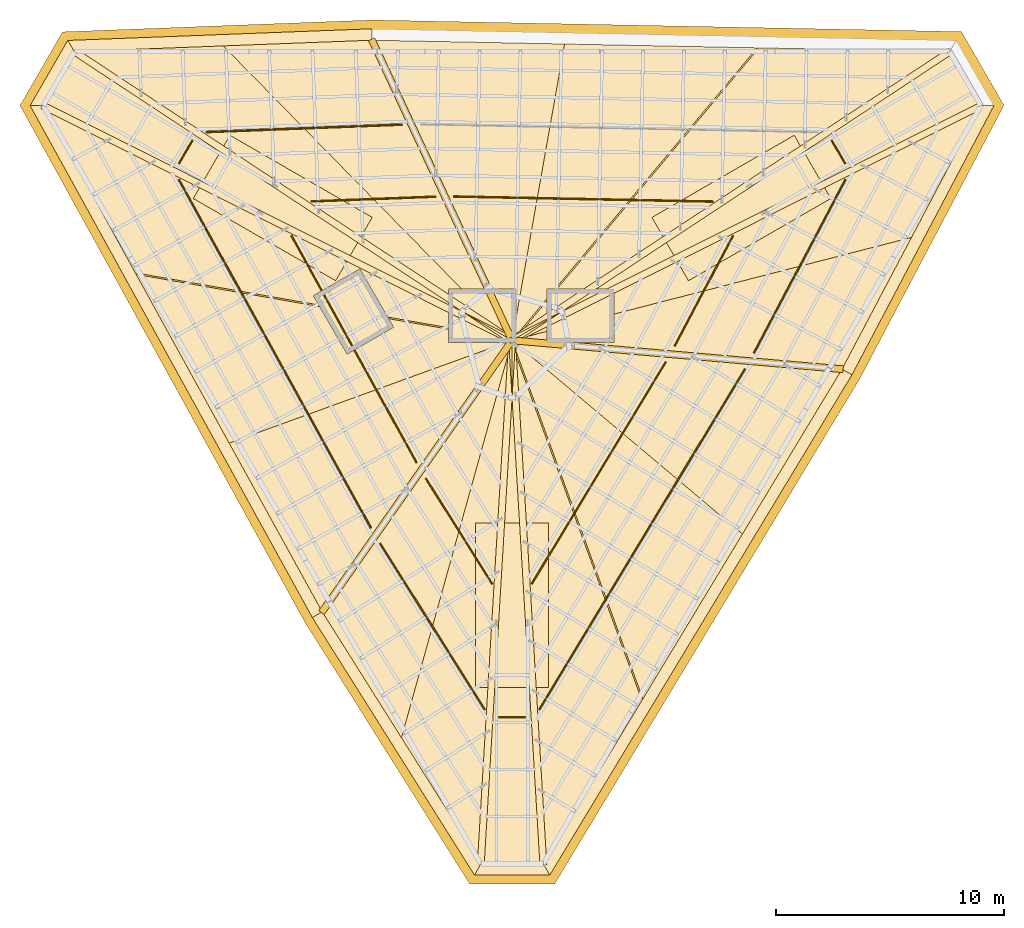
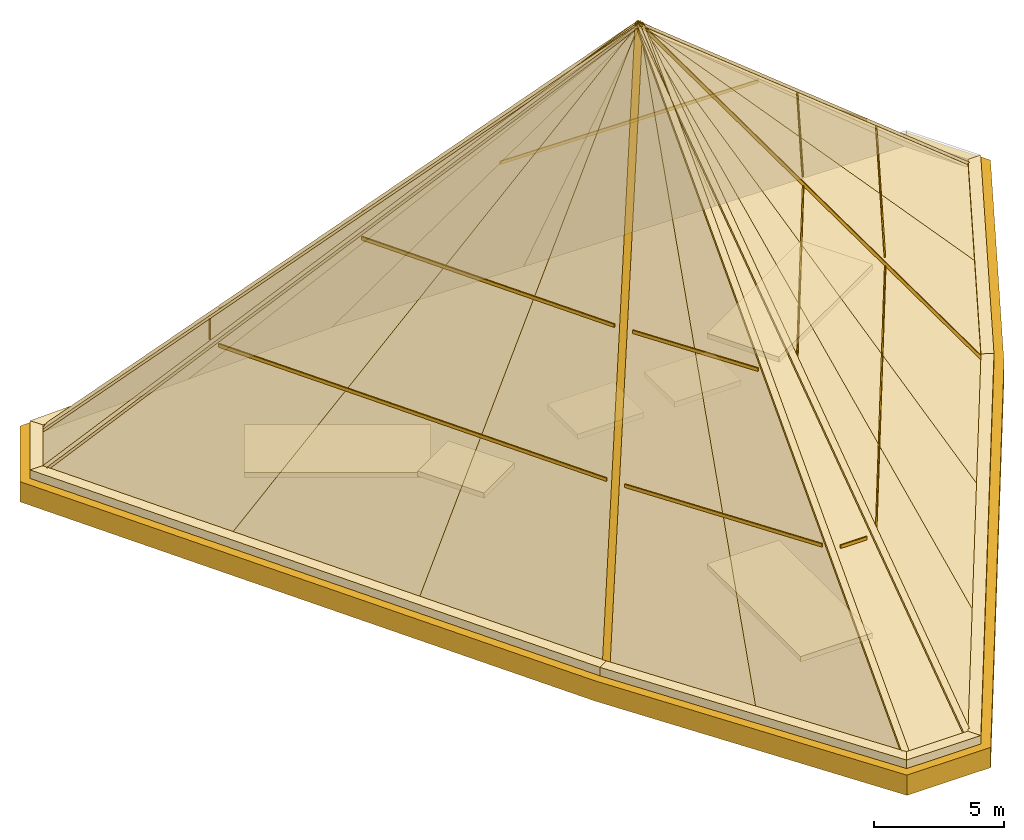
# One storey, part 5 of 6: 55 coverings.
"""IFC4 building model written with IfcOpenShell, lengths in metres."""

from ifc_helpers import new_model, si_unit, direction, frame, origin, origin_2d, place, context, subcontext, project, spatial, polyline, rectangle, outline, extrude, material, layer, layer_set, material_profile, profile_set, type_object, element, save


model = new_model("IFC4")

# Units and contexts
model_context = context("Model", 3, precision=1e-05, world=origin(), true_north=direction((0.0, 1.0)))
body_context = subcontext(model_context, "Body", "Model", "MODEL_VIEW")
ifc_project = project(units=[si_unit("LENGTHUNIT", "METRE"), si_unit("AREAUNIT", "SQUARE_METRE"), si_unit("VOLUMEUNIT", "CUBIC_METRE"), si_unit("PLANEANGLEUNIT", "RADIAN"), si_unit("MASSUNIT", "GRAM", prefix="KILO")], contexts=[model_context])

# Site, building, storey
site_placement = place(None, origin())
site = spatial("IfcSite", under=ifc_project, at=site_placement, CompositionType="ELEMENT")
building_placement = place(site_placement, origin())
building = spatial("IfcBuilding", under=site, at=building_placement, Name="Verrane Prism Tower", CompositionType="ELEMENT")
storey_placement = place(building_placement, frame((0.0, 0.0, 333.60009765625)))
storey = spatial("IfcBuildingStorey", under=building, at=storey_placement, Name="Roof", CompositionType="ELEMENT", Elevation=333.60009765625)

# Coverings
ifc_material_1 = material(Name="Zinc lined gutter", Category="metal")
covering_type_1 = type_object("IfcCoveringType", Name="Heated eaves gutter 400", PredefinedType="USERDEFINED", material=ifc_material_1)
covering_1_placement = place(storey_placement, origin())
element("IfcCovering", 1, at=covering_1_placement, inside=storey, type_object=covering_type_1, Name="Heated eaves gutter 3", ObjectType="EAVES GUTTER", PredefinedType="USERDEFINED", context=body_context, shape_type="SweptSolid", body=[
    extrude(outline(polyline([(-6.139892578125, 13.650146484375), (-19.46728515625, 13.13916015625), (-19.17236328125, 12.64990234375), (-6.13525390625, 13.14990234375), (-6.139892578125, 13.650146484375)])), origin(), (0.0, 0.0, 1.0), 0.39990234375),
])
covering_2_placement = place(storey_placement, origin())
element("IfcCovering", 2, at=covering_2_placement, inside=storey, type_object=covering_type_1, Name="Heated eaves gutter 4", ObjectType="EAVES GUTTER", PredefinedType="USERDEFINED", context=body_context, shape_type="SweptSolid", body=[
    extrude(outline(polyline([(-19.46728515625, 13.13916015625), (-21.115478515625, 10.284423828125), (-20.54150390625, 10.27880859375), (-19.17236328125, 12.64990234375), (-19.46728515625, 13.13916015625)])), origin(), (0.0, 0.0, 1.0), 0.39990234375),
])
covering_3_placement = place(storey_placement, origin())
element("IfcCovering", 3, at=covering_3_placement, inside=storey, type_object=covering_type_1, Name="Heated eaves gutter 5", ObjectType="EAVES GUTTER", PredefinedType="USERDEFINED", context=body_context, shape_type="SweptSolid", body=[
    extrude(outline(polyline([(-21.115478515625, 10.284423828125), (-8.75146484375, -12.142333984375), (-8.320556640625, -11.88818359375), (-20.54150390625, 10.27880859375), (-21.115478515625, 10.284423828125)])), origin(), (0.0, 0.0, 1.0), 0.39990234375),
])
covering_4_placement = place(storey_placement, origin())
element("IfcCovering", 4, at=covering_4_placement, inside=storey, type_object=covering_type_1, Name="Heated eaves gutter 6", ObjectType="EAVES GUTTER", PredefinedType="USERDEFINED", context=body_context, shape_type="SweptSolid", body=[
    extrude(outline(polyline([(-8.75146484375, -12.142333984375), (-1.64501953125, -23.4287109375), (-1.368896484375, -22.9287109375), (-8.320556640625, -11.88818359375), (-8.75146484375, -12.142333984375)])), origin(), (0.0, 0.0, 1.0), 0.39990234375),
])
covering_5_placement = place(storey_placement, origin())
element("IfcCovering", 5, at=covering_5_placement, inside=storey, type_object=covering_type_1, Name="Heated eaves gutter 7", ObjectType="EAVES GUTTER", PredefinedType="USERDEFINED", context=body_context, shape_type="SweptSolid", body=[
    extrude(outline(polyline([(-1.64501953125, -23.4287109375), (1.651123046875, -23.4287109375), (1.368896484375, -22.9287109375), (-1.368896484375, -22.9287109375), (-1.64501953125, -23.4287109375)])), origin(), (0.0, 0.0, 1.0), 0.39990234375),
])
covering_6_placement = place(storey_placement, origin())
element("IfcCovering", 6, at=covering_6_placement, inside=storey, type_object=covering_type_1, Name="Heated eaves gutter 8", ObjectType="EAVES GUTTER", PredefinedType="USERDEFINED", context=body_context, shape_type="SweptSolid", body=[
    extrude(outline(polyline([(1.651123046875, -23.4287109375), (14.891357421875, -1.5078125), (14.455810546875, -1.26171875), (1.368896484375, -22.9287109375), (1.651123046875, -23.4287109375)])), origin(), (0.0, 0.0, 1.0), 0.39990234375),
])
covering_7_placement = place(storey_placement, origin())
element("IfcCovering", 7, at=covering_7_placement, inside=storey, type_object=covering_type_1, Name="Heated eaves gutter 9", ObjectType="EAVES GUTTER", PredefinedType="USERDEFINED", context=body_context, shape_type="SweptSolid", body=[
    extrude(outline(polyline([(14.891357421875, -1.5078125), (21.1123046875, 10.289794921875), (20.54150390625, 10.27880859375), (14.455810546875, -1.26171875), (14.891357421875, -1.5078125)])), origin(), (0.0, 0.0, 1.0), 0.39990234375),
])
ifc_material_2 = material(Name="Zinc standing seam roofing", Category="metal")
ifc_material_profile = material_profile(ifc_material_2, rectangle(XDim=0.300048828125, YDim=0.1201171875, at=origin_2d()), Name="Hip cap 300x120")
ifc_profile_set = profile_set([ifc_material_profile], Name="Zinc standing seam roofing")
covering_type_2 = type_object("IfcCoveringType", Name="Hip cap 300x120", PredefinedType="USERDEFINED", material=ifc_profile_set)
for number, where, z_axis, x_axis, name in (
    (8, (20.54150390625, 10.27880859375, 0.216552734375), (-0.674450623029, -0.337489839677, 0.656671124088), (0.447494174086, -0.894286846688, 0.0), "Hip cap NE.a"),
    (9, (19.17236328125, 12.64990234375, 0.216552734375), (-0.629499495607, -0.415343013694, 0.656673865786), (0.550725222956, -0.83468660514, 0.0), "Hip cap NE.b"),
):
    element("IfcCovering", number, at=place(storey_placement, frame(where, z_axis=z_axis, x_axis=x_axis)), inside=storey, type_object=covering_type_2, Name=name, ObjectType="HIP CAP", PredefinedType="USERDEFINED", context=body_context, shape_type="SweptSolid", body=[
        extrude(rectangle(XDim=0.300048828125, YDim=0.1201171875, at=origin_2d()), origin(), (0.0, 0.0, 1.0), 30.45654296875),
    ])
covering_8_placement = place(storey_placement, frame((-6.13525390625, 13.14990234375, 0.216552734375), z_axis=(0.248294965543, -0.532179205495, 0.809404042073), x_axis=(0.906219242542, 0.422808094112, 0.0)))
element("IfcCovering", 10, at=covering_8_placement, inside=storey, type_object=covering_type_2, Name="Hip cap N.crease", ObjectType="HIP CAP", PredefinedType="USERDEFINED", context=body_context, shape_type="SweptSolid", body=[
    extrude(rectangle(XDim=0.300048828125, YDim=0.1201171875, at=origin_2d()), origin(), (0.0, 0.0, 1.0), 24.70947265625),
])
for number, where, z_axis, x_axis, name in (
    (11, (-19.17236328125, 12.64990234375, 0.216552734375), (0.629499495607, -0.415343013694, 0.656673865786), (0.550725222956, 0.83468660514, 0.0), "Hip cap NW.a"),
    (12, (-20.54150390625, 10.27880859375, 0.216552734375), (0.674450623029, -0.337489839677, 0.656671124088), (0.447494174086, 0.894286846688, 0.0), "Hip cap NW.b"),
):
    element("IfcCovering", number, at=place(storey_placement, frame(where, z_axis=z_axis, x_axis=x_axis)), inside=storey, type_object=covering_type_2, Name=name, ObjectType="HIP CAP", PredefinedType="USERDEFINED", context=body_context, shape_type="SweptSolid", body=[
        extrude(rectangle(XDim=0.300048828125, YDim=0.1201171875, at=origin_2d()), origin(), (0.0, 0.0, 1.0), 30.45654296875),
    ])
covering_9_placement = place(storey_placement, frame((-8.320556640625, -11.88818359375, 0.216552734375), z_axis=(0.33673480194, 0.481117468551, 0.809404506175), x_axis=(-0.819269859356, 0.573408142209, 0.0)))
element("IfcCovering", 13, at=covering_9_placement, inside=storey, type_object=covering_type_2, Name="Hip cap SW.crease", ObjectType="HIP CAP", PredefinedType="USERDEFINED", context=body_context, shape_type="SweptSolid", body=[
    extrude(rectangle(XDim=0.300048828125, YDim=0.1201171875, at=origin_2d()), origin(), (0.0, 0.0, 1.0), 24.70947265625),
])
for number, where, z_axis, x_axis, name in (
    (14, (-1.368896484375, -22.9287109375, 0.216552734375), (0.044945924412, 0.752834213848, 0.6566738234), (-0.998222568604, 0.059596170431, 0.0), "Hip cap S.a"),
    (15, (1.368896484375, -22.9287109375, 0.216552734375), (-0.044945924412, 0.752834213848, 0.6566738234), (-0.998222568604, -0.059596170431, 0.0), "Hip cap S.b"),
):
    element("IfcCovering", number, at=place(storey_placement, frame(where, z_axis=z_axis, x_axis=x_axis)), inside=storey, type_object=covering_type_2, Name=name, ObjectType="HIP CAP", PredefinedType="USERDEFINED", context=body_context, shape_type="SweptSolid", body=[
        extrude(rectangle(XDim=0.300048828125, YDim=0.1201171875, at=origin_2d()), origin(), (0.0, 0.0, 1.0), 30.45654296875),
    ])
covering_10_placement = place(storey_placement, frame((14.455810546875, -1.26171875, 0.216552734375), z_axis=(-0.585029037522, 0.051061965951, 0.809403299282), x_axis=(-0.08695051396, -0.996212631983, 0.0)))
element("IfcCovering", 16, at=covering_10_placement, inside=storey, type_object=covering_type_2, Name="Hip cap SE.crease", ObjectType="HIP CAP", PredefinedType="USERDEFINED", context=body_context, shape_type="SweptSolid", body=[
    extrude(rectangle(XDim=0.300048828125, YDim=0.1201171875, at=origin_2d()), origin(), (0.0, 0.0, 1.0), 24.70947265625),
])
ifc_material_3 = material(Name="Concrete C40/50", Category="concrete")
ifc_layer_1 = layer(ifc_material_3, 0.25)
ifc_layer_set_1 = layer_set([ifc_layer_1], Name="Shaft and stair head roof 250 concrete C40/50")
covering_type_3 = type_object("IfcCoveringType", Name="Shaft and stair head roof 250 concrete C40/50", PredefinedType="ROOFING", material=ifc_layer_set_1)
covering_11_placement = place(storey_placement, origin())
element("IfcCovering", 17, at=covering_11_placement, inside=storey, type_object=covering_type_3, Name="Stair 1 head-house roof", PredefinedType="ROOFING", context=body_context, shape_type="SweptSolid", body=[
    extrude(outline(polyline([(7.728271484375, 2.614501953125), (7.628173828125, 2.78759765625), (6.228271484375, 5.21240234375), (6.128173828125, 5.385498046875), (12.363525390625, 8.985595703125), (12.463623046875, 8.8125), (13.863525390625, 6.3876953125), (13.963623046875, 6.21435546875), (7.728271484375, 2.614501953125)])), origin(), (0.0, 0.0, 1.0), 0.25),
])
covering_12_placement = place(storey_placement, origin())
element("IfcCovering", 18, at=covering_12_placement, inside=storey, type_object=covering_type_3, Name="Stair 2 head-house roof", PredefinedType="ROOFING", context=body_context, shape_type="SweptSolid", body=[
    extrude(outline(polyline([(-7.728271484375, 2.614501953125), (-13.963623046875, 6.21435546875), (-13.863525390625, 6.3876953125), (-12.463623046875, 8.8125), (-12.363525390625, 8.985595703125), (-6.128173828125, 5.385498046875), (-6.228271484375, 5.21240234375), (-7.628173828125, 2.78759765625), (-7.728271484375, 2.614501953125)])), origin(), (0.0, 0.0, 1.0), 0.25),
])
covering_13_placement = place(storey_placement, origin())
element("IfcCovering", 19, at=covering_13_placement, inside=storey, type_object=covering_type_3, Name="Stair 3 head-house roof", PredefinedType="ROOFING", context=body_context, shape_type="SweptSolid", body=[
    extrude(outline(polyline([(-1.60009765625, -15.199951171875), (-1.60009765625, -8.0), (1.60009765625, -8.0), (1.60009765625, -15.199951171875), (-1.60009765625, -15.199951171875)])), origin(), (0.0, 0.0, 1.0), 0.25),
])
covering_14_placement = place(storey_placement, frame((0.0, 0.0, 1.699951171875)))
element("IfcCovering", 20, at=covering_14_placement, inside=storey, type_object=covering_type_3, Name="Fire service lift 1 shaft roof", PredefinedType="ROOFING", context=body_context, shape_type="SweptSolid", body=[
    extrude(outline(polyline([(0.1650390625, 2.25), (0.1650390625, -0.10009765625), (-2.784912109375, -0.10009765625), (-2.784912109375, 2.25), (0.1650390625, 2.25)])), origin(), (0.0, 0.0, 1.0), 0.25),
])
covering_15_placement = place(storey_placement, frame((0.0, 0.0, 1.699951171875)))
element("IfcCovering", 21, at=covering_15_placement, inside=storey, type_object=covering_type_3, Name="Fire service lift 2 shaft roof", PredefinedType="ROOFING", context=body_context, shape_type="SweptSolid", body=[
    extrude(outline(polyline([(4.47509765625, 2.25), (4.47509765625, -0.10009765625), (1.52490234375, -0.10009765625), (1.52490234375, 2.25), (4.47509765625, 2.25)])), origin(), (0.0, 0.0, 1.0), 0.25),
])
covering_16_placement = place(storey_placement, frame((0.0, 0.0, 0.7998046875)))
element("IfcCovering", 22, at=covering_16_placement, inside=storey, type_object=covering_type_3, Name="Service lift 1 shaft roof", PredefinedType="ROOFING", context=body_context, shape_type="SweptSolid", body=[
    extrude(outline(polyline([(-5.193359375, 0.575439453125), (-7.228515625, -0.599609375), (-8.70361328125, 1.955078125), (-6.66845703125, 3.130126953125), (-5.193359375, 0.575439453125)])), origin(), (0.0, 0.0, 1.0), 0.25),
])
ifc_material_4 = material(Name="Stainless steel bar", Category="steel")
ifc_layer_2 = layer(ifc_material_4, 0.050048828125)
ifc_layer_set_2 = layer_set([ifc_layer_2], Name="Snow guard bar 150")
covering_type_4 = type_object("IfcCoveringType", Name="Snow guard bar 150", PredefinedType="USERDEFINED", material=ifc_layer_set_2)
covering_17_placement = place(storey_placement, frame((14.297119140625, 8.25439453125, 5.781005859375), z_axis=(0.0, 0.0, 1.0), x_axis=(-0.499996976998, 0.866027149108, 0.0)))
element("IfcCovering", 23, at=covering_17_placement, inside=storey, type_object=covering_type_4, Name="Snow guard bar plane 1 row 1", ObjectType="SNOW GUARD", PredefinedType="USERDEFINED", context=body_context, shape_type="SweptSolid", body=[
    extrude(rectangle(XDim=1.17138671875, YDim=0.050048828125, at=origin_2d()), origin(), (0.0, 0.0, 1.0), 0.14990234375),
])
covering_18_placement = place(storey_placement, frame((3.12890625, 6.19189453125, 10.658203125), z_axis=(0.0, 0.0, 1.0), x_axis=(-0.999804903267, 0.019752351834, 0.0)))
element("IfcCovering", 24, at=covering_18_placement, inside=storey, type_object=covering_type_4, Name="Snow guard bar plane 2 row 2", ObjectType="SNOW GUARD", PredefinedType="USERDEFINED", context=body_context, shape_type="SweptSolid", body=[
    extrude(rectangle(XDim=11.35009765625, YDim=0.050048828125, at=origin_2d()), origin(), (0.0, 0.0, 1.0), 0.14990234375),
])
covering_19_placement = place(storey_placement, frame((-9.110595703125, 9.2880859375, 5.853271484375), z_axis=(0.0, 0.0, 1.0), x_axis=(-0.999265393304, -0.038323279424, 0.0)))
element("IfcCovering", 25, at=covering_19_placement, inside=storey, type_object=covering_type_4, Name="Snow guard bar plane 3 row 1", ObjectType="SNOW GUARD", PredefinedType="USERDEFINED", context=body_context, shape_type="SweptSolid", body=[
    extrude(rectangle(XDim=8.59375, YDim=0.050048828125, at=origin_2d()), origin(), (0.0, 0.0, 1.0), 0.14990234375),
])
covering_20_placement = place(storey_placement, frame((-6.07373046875, 6.19189453125, 10.6533203125), z_axis=(0.0, 0.0, 1.0), x_axis=(-0.999265393304, -0.038323279424, 0.0)))
element("IfcCovering", 26, at=covering_20_placement, inside=storey, type_object=covering_type_4, Name="Snow guard bar plane 3 row 2", ObjectType="SNOW GUARD", PredefinedType="USERDEFINED", context=body_context, shape_type="SweptSolid", body=[
    extrude(rectangle(XDim=5.46240234375, YDim=0.050048828125, at=origin_2d()), origin(), (0.0, 0.0, 1.0), 0.14990234375),
])
covering_21_placement = place(storey_placement, frame((-14.297119140625, 8.25439453125, 5.781005859375), z_axis=(0.0, 0.0, 1.0), x_axis=(-0.499996976998, -0.866027149108, 0.0)))
element("IfcCovering", 27, at=covering_21_placement, inside=storey, type_object=covering_type_4, Name="Snow guard bar plane 4 row 1", ObjectType="SNOW GUARD", PredefinedType="USERDEFINED", context=body_context, shape_type="SweptSolid", body=[
    extrude(rectangle(XDim=1.17138671875, YDim=0.050048828125, at=origin_2d()), origin(), (0.0, 0.0, 1.0), 0.14990234375),
])
covering_22_placement = place(storey_placement, frame((-10.390380859375, -0.579345703125, 5.858154296875), z_axis=(0.0, 0.0, 1.0), x_axis=(0.482796413161, -0.875732620975, 0.0)))
element("IfcCovering", 28, at=covering_22_placement, inside=storey, type_object=covering_type_4, Name="Snow guard bar plane 5 row 1", ObjectType="SNOW GUARD", PredefinedType="USERDEFINED", context=body_context, shape_type="SweptSolid", body=[
    extrude(rectangle(XDim=17.425048828125, YDim=0.050048828125, at=origin_2d()), origin(), (0.0, 0.0, 1.0), 0.14990234375),
])
covering_23_placement = place(storey_placement, frame((-6.927001953125, -0.38623046875, 10.658203125), z_axis=(0.0, 0.0, 1.0), x_axis=(0.482796413161, -0.875732620975, 0.0)))
element("IfcCovering", 29, at=covering_23_placement, inside=storey, type_object=covering_type_4, Name="Snow guard bar plane 5 row 2", ObjectType="SNOW GUARD", PredefinedType="USERDEFINED", context=body_context, shape_type="SweptSolid", body=[
    extrude(rectangle(XDim=11.35009765625, YDim=0.050048828125, at=origin_2d()), origin(), (0.0, 0.0, 1.0), 0.14990234375),
])
covering_24_placement = place(storey_placement, frame((-3.48828125, -12.5341796875, 5.853271484375), z_axis=(0.0, 0.0, 1.0), x_axis=(0.532818676295, -0.846229435905, 0.0)))
element("IfcCovering", 30, at=covering_24_placement, inside=storey, type_object=covering_type_4, Name="Snow guard bar plane 6 row 1", ObjectType="SNOW GUARD", PredefinedType="USERDEFINED", context=body_context, shape_type="SweptSolid", body=[
    extrude(rectangle(XDim=8.59375, YDim=0.050048828125, at=origin_2d()), origin(), (0.0, 0.0, 1.0), 0.14990234375),
])
covering_25_placement = place(storey_placement, frame((-2.325439453125, -8.356201171875, 10.653076171875), z_axis=(0.0, 0.0, 1.0), x_axis=(0.532818676295, -0.846229435905, 0.0)))
element("IfcCovering", 31, at=covering_25_placement, inside=storey, type_object=covering_type_4, Name="Snow guard bar plane 6 row 2", ObjectType="SNOW GUARD", PredefinedType="USERDEFINED", context=body_context, shape_type="SweptSolid", body=[
    extrude(rectangle(XDim=5.46240234375, YDim=0.050048828125, at=origin_2d()), origin(), (0.0, 0.0, 1.0), 0.14990234375),
])
covering_26_placement = place(storey_placement, frame((0.0, -16.5087890625, 5.781005859375), z_axis=(0.0, 0.0, 1.0), x_axis=(1.0, 0.0, 0.0)))
element("IfcCovering", 32, at=covering_26_placement, inside=storey, type_object=covering_type_4, Name="Snow guard bar plane 7 row 1", ObjectType="SNOW GUARD", PredefinedType="USERDEFINED", context=body_context, shape_type="SweptSolid", body=[
    extrude(rectangle(XDim=1.17138671875, YDim=0.050048828125, at=origin_2d()), origin(), (0.0, 0.0, 1.0), 0.14990234375),
])
covering_27_placement = place(storey_placement, frame((5.697021484375, -8.70849609375, 5.858154296875), z_axis=(0.0, 0.0, 1.0), x_axis=(0.517008490106, 0.855980269141, 0.0)))
element("IfcCovering", 33, at=covering_27_placement, inside=storey, type_object=covering_type_4, Name="Snow guard bar plane 8 row 1", ObjectType="SNOW GUARD", PredefinedType="USERDEFINED", context=body_context, shape_type="SweptSolid", body=[
    extrude(rectangle(XDim=17.425048828125, YDim=0.050048828125, at=origin_2d()), origin(), (0.0, 0.0, 1.0), 0.14990234375),
])
covering_28_placement = place(storey_placement, frame((3.798095703125, -5.8056640625, 10.658203125), z_axis=(0.0, 0.0, 1.0), x_axis=(0.517008490106, 0.855980269141, 0.0)))
element("IfcCovering", 34, at=covering_28_placement, inside=storey, type_object=covering_type_4, Name="Snow guard bar plane 8 row 2", ObjectType="SNOW GUARD", PredefinedType="USERDEFINED", context=body_context, shape_type="SweptSolid", body=[
    extrude(rectangle(XDim=11.35009765625, YDim=0.050048828125, at=origin_2d()), origin(), (0.0, 0.0, 1.0), 0.14990234375),
])
covering_29_placement = place(storey_placement, frame((12.59912109375, 3.24609375, 5.853271484375), z_axis=(0.0, 0.0, 1.0), x_axis=(0.466442219281, 0.884551669532, 0.0)))
element("IfcCovering", 35, at=covering_29_placement, inside=storey, type_object=covering_type_4, Name="Snow guard bar plane 9 row 1", ObjectType="SNOW GUARD", PredefinedType="USERDEFINED", context=body_context, shape_type="SweptSolid", body=[
    extrude(rectangle(XDim=8.59375, YDim=0.050048828125, at=origin_2d()), origin(), (0.0, 0.0, 1.0), 0.14990234375),
])
covering_30_placement = place(storey_placement, frame((8.3994140625, 2.1640625, 10.6533203125), z_axis=(0.0, 0.0, 1.0), x_axis=(0.466442219281, 0.884551669532, 0.0)))
element("IfcCovering", 36, at=covering_30_placement, inside=storey, type_object=covering_type_4, Name="Snow guard bar plane 9 row 2", ObjectType="SNOW GUARD", PredefinedType="USERDEFINED", context=body_context, shape_type="SweptSolid", body=[
    extrude(rectangle(XDim=5.46240234375, YDim=0.050048828125, at=origin_2d()), origin(), (0.0, 0.0, 1.0), 0.14990234375),
])
ifc_material_5 = material(Name="Zinc standing seam roofing", Category="metal")
ifc_layer_3 = layer(ifc_material_5, 0.1201171875)
ifc_layer_set_3 = layer_set([ifc_layer_3], Name="Standing seam metal roofing 120")
covering_type_5 = type_object("IfcCoveringType", Name="Standing seam metal roofing 120", PredefinedType="ROOFING", material=ifc_layer_set_3)
covering_31_placement = place(storey_placement, frame((20.54150390625, 10.27880859375, 0.1591796875), z_axis=(0.569250789516, 0.328702474012, 0.753596856557), x_axis=(-0.500051773299, 0.865995510393, 0.0)))
element("IfcCovering", 37, at=covering_31_placement, inside=storey, type_object=covering_type_5, Name="Roof covering plane 1 panel 1", PredefinedType="ROOFING", context=body_context, shape_type="SweptSolid", body=[
    extrude(outline(polyline([(0.0, 0.0), (2.737997739647433, 0.0), (1.370413360180244, 30.42579918522556), (0.0, 0.0)])), origin(), (0.0, 0.0, -1.0), 0.1201171875),
])
covering_32_placement = place(storey_placement, frame((19.17236328125, 12.64990234375, 0.2197265625), z_axis=(0.016560085977, 0.837775476976, 0.545763697703), x_axis=(-0.999804695321, 0.019762874625, 0.0)))
element("IfcCovering", 38, at=covering_32_placement, inside=storey, type_object=covering_type_5, Name="Roof covering plane 2 panel 1", PredefinedType="ROOFING", context=body_context, shape_type="SweptSolid", body=[
    extrude(outline(polyline([(0.0, 0.0), (8.437438886915633, 0.0), (18.918620394966748, 23.86808214846311), (0.0, 0.0)])), origin(), (0.0, 0.0, -1.0), 0.1201171875),
])
covering_33_placement = place(storey_placement, frame((10.736572265625, 12.816650390625, 0.2197265625), z_axis=(0.016560085977, 0.837775476976, 0.545763697703), x_axis=(-0.999804695321, 0.019762874625, 0.0)))
element("IfcCovering", 39, at=covering_33_placement, inside=storey, type_object=covering_type_5, Name="Roof covering plane 2 panel 2", PredefinedType="ROOFING", context=body_context, shape_type="SweptSolid", body=[
    extrude(outline(polyline([(0.0, 0.0), (8.437438886915633, 0.0), (10.481181508051115, 23.86808214846311), (0.0, 0.0)])), origin(), (0.0, 0.0, -1.0), 0.1201171875),
])
covering_34_placement = place(storey_placement, frame((2.30078125, 12.9833984375, 0.2197265625), z_axis=(0.01653539376, 0.837777120234, 0.545761923887), x_axis=(-0.999805277906, 0.019733379624, 0.0)))
element("IfcCovering", 40, at=covering_34_placement, inside=storey, type_object=covering_type_5, Name="Roof covering plane 2 panel 3", PredefinedType="ROOFING", context=body_context, shape_type="SweptSolid", body=[
    extrude(outline(polyline([(0.0, 0.0), (8.437678158609895, 1.3877787807814457e-17), (2.044126906878666, 23.868049240266867), (0.0, 0.0)])), origin(), (0.0, 0.0, -1.0), 0.1201171875),
])
covering_35_placement = place(storey_placement, frame((-6.13525390625, 13.14990234375, 0.2158203125), z_axis=(-0.03185646406, 0.830632412496, 0.555909130172), x_axis=(-0.999265370065, -0.038323885354, 0.0)))
element("IfcCovering", 41, at=covering_35_placement, inside=storey, type_object=covering_type_5, Name="Roof covering plane 3 panel 1", PredefinedType="ROOFING", context=body_context, shape_type="SweptSolid", body=[
    extrude(outline(polyline([(0.0, 0.0), (6.523346933432885, 2.7755575615628914e-17), (-5.626791415236748, 24.060351005622), (0.0, 0.0)])), origin(), (0.0, 0.0, -1.0), 0.1201171875),
])
covering_36_placement = place(storey_placement, frame((-12.65380859375, 12.89990234375, 0.2158203125), z_axis=(-0.03185646406, 0.830632412496, 0.555909130172), x_axis=(-0.999265370065, -0.038323885354, 0.0)))
element("IfcCovering", 42, at=covering_36_placement, inside=storey, type_object=covering_type_5, Name="Roof covering plane 3 panel 2", PredefinedType="ROOFING", context=body_context, shape_type="SweptSolid", body=[
    extrude(outline(polyline([(0.0, 0.0), (6.523346933432885, 2.7755575615628914e-17), (-12.150138348669634, 24.060351005622), (0.0, 0.0)])), origin(), (0.0, 0.0, -1.0), 0.1201171875),
])
covering_37_placement = place(storey_placement, frame((-19.17236328125, 12.64990234375, 0.1591796875), z_axis=(-0.569250789516, 0.328702474012, 0.753596856557), x_axis=(-0.500051773299, -0.865995510393, 0.0)))
element("IfcCovering", 43, at=covering_37_placement, inside=storey, type_object=covering_type_5, Name="Roof covering plane 4 panel 1", PredefinedType="ROOFING", context=body_context, shape_type="SweptSolid", body=[
    extrude(outline(polyline([(0.0, 0.0), (2.737997739647433, 0.0), (1.3675843794671874, 30.42579918522556), (0.0, 0.0)])), origin(), (0.0, 0.0, -1.0), 0.1201171875),
])
covering_38_placement = place(storey_placement, frame((-20.54150390625, 10.27880859375, 0.2197265625), z_axis=(-0.733809679931, -0.404571231433, 0.545752207816), x_axis=(0.482812657449, -0.875723665209, 0.0)))
element("IfcCovering", 44, at=covering_38_placement, inside=storey, type_object=covering_type_5, Name="Roof covering plane 5 panel 1", PredefinedType="ROOFING", context=body_context, shape_type="SweptSolid", body=[
    extrude(outline(polyline([(0.0, 0.0), (8.437497248472543, -2.220446049250313e-16), (18.91909402466936, 23.86786898998637), (0.0, 0.0)])), origin(), (0.0, 0.0, -1.0), 0.1201171875),
])
covering_39_placement = place(storey_placement, frame((-16.4677734375, 2.889892578125, 0.2197265625), z_axis=(-0.733818669388, -0.404538574597, 0.54576432837), x_axis=(0.482778233196, -0.875742643447, 0.0)))
element("IfcCovering", 45, at=covering_39_placement, inside=storey, type_object=covering_type_5, Name="Roof covering plane 5 panel 2", PredefinedType="ROOFING", context=body_context, shape_type="SweptSolid", body=[
    extrude(outline(polyline([(0.0, 0.0), (8.437593180530442, -4.440892098500626e-16), (10.48108473047767, 23.868093848786508), (0.0, 0.0)])), origin(), (0.0, 0.0, -1.0), 0.1201171875),
])
covering_40_placement = place(storey_placement, frame((-12.394287109375, -4.499267578125, 0.2197265625), z_axis=(-0.733804114777, -0.404568163198, 0.54576196502), x_axis=(0.482812657449, -0.875723665209, 0.0)))
element("IfcCovering", 46, at=covering_40_placement, inside=storey, type_object=covering_type_5, Name="Roof covering plane 5 panel 3", PredefinedType="ROOFING", context=body_context, shape_type="SweptSolid", body=[
    extrude(outline(polyline([(0.0, 0.0), (8.437497248472543, 0.0), (2.04400360218527, 23.868050003371444), (0.0, 0.0)])), origin(), (0.0, 0.0, -1.0), 0.1201171875),
])
covering_41_placement = place(storey_placement, frame((-8.320556640625, -11.88818359375, 0.2158203125), z_axis=(-0.703418612861, -0.442907027168, 0.555909723216), x_axis=(0.532825181052, -0.846225340224, 0.0)))
element("IfcCovering", 47, at=covering_41_placement, inside=storey, type_object=covering_type_5, Name="Roof covering plane 6 panel 1", PredefinedType="ROOFING", context=body_context, shape_type="SweptSolid", body=[
    extrude(outline(polyline([(0.0, 0.0), (6.523396794540503, 0.0), (-5.626680107769969, 24.0603624854943), (0.0, 0.0)])), origin(), (0.0, 0.0, -1.0), 0.1201171875),
])
covering_42_placement = place(storey_placement, frame((-4.8447265625, -17.408447265625, 0.2158203125), z_axis=(-0.703418612861, -0.442907027168, 0.555909723216), x_axis=(0.532825181052, -0.846225340224, 0.0)))
element("IfcCovering", 48, at=covering_42_placement, inside=storey, type_object=covering_type_5, Name="Roof covering plane 6 panel 2", PredefinedType="ROOFING", context=body_context, shape_type="SweptSolid", body=[
    extrude(outline(polyline([(0.0, 0.0), (6.523396794540503, 0.0), (-12.150076902310472, 24.0603624854943), (0.0, 0.0)])), origin(), (0.0, 0.0, -1.0), 0.1201171875),
])
covering_43_placement = place(storey_placement, frame((-1.368896484375, -22.9287109375, 0.1591796875), z_axis=(0.0, -0.657338115295, 0.75359578169), x_axis=(1.0, 0.0, 0.0)))
element("IfcCovering", 49, at=covering_43_placement, inside=storey, type_object=covering_type_5, Name="Roof covering plane 7 panel 1", PredefinedType="ROOFING", context=body_context, shape_type="SweptSolid", body=[
    extrude(outline(polyline([(0.0, 0.0), (2.73779296875, 0.0), (1.368896484375, 30.425742147981076), (0.0, 0.0)])), origin(), (0.0, 0.0, -1.0), 0.1201171875),
])
covering_44_placement = place(storey_placement, frame((1.368896484375, -22.9287109375, 0.2197265625), z_axis=(0.71725242131, -0.433231906699, 0.545764673777), x_axis=(0.517021129179, 0.855972635066, 0.0)))
element("IfcCovering", 50, at=covering_44_placement, inside=storey, type_object=covering_type_5, Name="Roof covering plane 8 panel 1", PredefinedType="ROOFING", context=body_context, shape_type="SweptSolid", body=[
    extrude(outline(polyline([(0.0, 0.0), (8.437381842456993, 0.0), (18.918600713769056, 23.86810025689819), (0.0, 0.0)])), origin(), (0.0, 0.0, -1.0), 0.1201171875),
])
covering_45_placement = place(storey_placement, frame((5.731201171875, -15.70654296875, 0.2197265625), z_axis=(0.717261473986, -0.433222729851, 0.545760061085), x_axis=(0.517008323821, 0.855980369576, 0.0)))
element("IfcCovering", 51, at=covering_45_placement, inside=storey, type_object=covering_type_5, Name="Roof covering plane 8 panel 2", PredefinedType="ROOFING", context=body_context, shape_type="SweptSolid", body=[
    extrude(outline(polyline([(0.0, 0.0), (8.437590821095268, 0.0), (10.481413743806435, 23.868014681427468), (0.0, 0.0)])), origin(), (0.0, 0.0, -1.0), 0.1201171875),
])
covering_46_placement = place(storey_placement, frame((10.093505859375, -8.484130859375, 0.2197265625), z_axis=(0.717261473986, -0.433222729851, 0.545760061085), x_axis=(0.517008323821, 0.855980369576, 0.0)))
element("IfcCovering", 52, at=covering_46_placement, inside=storey, type_object=covering_type_5, Name="Roof covering plane 8 panel 3", PredefinedType="ROOFING", context=body_context, shape_type="SweptSolid", body=[
    extrude(outline(polyline([(0.0, 0.0), (8.437590821095268, 0.0), (2.0438229227111675, 23.868014681427468), (0.0, 0.0)])), origin(), (0.0, 0.0, -1.0), 0.1201171875),
])
covering_47_placement = place(storey_placement, frame((14.455810546875, -1.26171875, 0.2158203125), z_axis=(0.735278525537, -0.38772059504, 0.555912070444), x_axis=(0.466435783828, 0.884555063049, 0.0)))
element("IfcCovering", 53, at=covering_47_placement, inside=storey, type_object=covering_type_5, Name="Roof covering plane 9 panel 1", PredefinedType="ROOFING", context=body_context, shape_type="SweptSolid", body=[
    extrude(outline(polyline([(0.0, 0.0), (6.523351584228511, 0.0), (-5.626647614844388, 24.06040792234434), (0.0, 0.0)])), origin(), (0.0, 0.0, -1.0), 0.1201171875),
])
covering_48_placement = place(storey_placement, frame((17.49853515625, 4.508544921875, 0.2158203125), z_axis=(0.73527252295, -0.387748539287, 0.555900519225), x_axis=(0.466465066293, 0.884539621457, 0.0)))
element("IfcCovering", 54, at=covering_48_placement, inside=storey, type_object=covering_type_5, Name="Roof covering plane 9 panel 2", PredefinedType="ROOFING", context=body_context, shape_type="SweptSolid", body=[
    extrude(outline(polyline([(0.0, 0.0), (6.523465463726847, 2.220446049250313e-16), (-12.150441980216158, 24.06018432208039), (0.0, 0.0)])), origin(), (0.0, 0.0, -1.0), 0.1201171875),
])
ifc_material_6 = material(Name="Warm limestone cladding", Category="masonry")
ifc_layer_4 = layer(ifc_material_6, 0.449951171875)
ifc_layer_set_4 = layer_set([ifc_layer_4], Name="Stone spandrel band 450")
covering_type_6 = type_object("IfcCoveringType", Name="Stone spandrel band 450", PredefinedType="CLADDING", material=ifc_layer_set_4)
covering_49_placement = place(storey_placement, frame((0.0, 0.0, -0.9501953125)))
element("IfcCovering", 55, at=covering_49_placement, inside=storey, type_object=covering_type_6, Name="Stone spandrel band Roof", PredefinedType="CLADDING", context=body_context, shape_type="SweptSolid", body=[
    extrude(outline(polyline([(15.2265625, -1.697265625), (21.552001953125, 10.298095703125), (19.68896484375, 13.52490234375), (-6.143310546875, 14.03515625), (-19.6943359375, 13.515380859375), (-21.557373046875, 10.288818359375), (-9.0830078125, -12.337890625), (-1.857421875, -23.813720703125), (1.868408203125, -23.813720703125), (15.2265625, -1.697265625)]), holes=[polyline([(1.699951171875, -22.609619140625), (1.699951171875, -23.31005859375), (1.0400390625, -23.31005859375), (1.0400390625, -23.055908203125), (-1.0400390625, -23.055908203125), (-1.0400390625, -23.31005859375), (-1.699951171875, -23.31005859375), (-1.699951171875, -22.609619140625), (-3.134765625, -20.124267578125), (-8.320556640625, -11.88818359375), (-16.7353515625, 3.375), (-16.787109375, 3.34521484375), (-17.00390625, 3.720703125), (-16.944580078125, 3.754638671875), (-17.43701171875, 4.64794921875), (-20.43310546875, 9.837158203125), (-21.0341796875, 10.18408203125), (-20.7041015625, 10.755859375), (-20.485595703125, 10.629638671875), (-19.44677734375, 12.4287109375), (-19.6640625, 12.55419921875), (-19.333984375, 13.125732421875), (-18.72998046875, 12.777099609375), (-15.861083984375, 12.777099609375), (-6.13525390625, 13.14990234375), (11.283203125, 12.805908203125), (11.283203125, 12.8642578125), (11.716796875, 12.8642578125), (11.716796875, 12.79736328125), (12.744384765625, 12.777099609375), (18.72998046875, 12.777099609375), (19.333984375, 13.125732421875), (19.6640625, 12.55419921875), (19.44677734375, 12.4287109375), (20.485595703125, 10.629638671875), (20.7041015625, 10.755859375), (21.0341796875, 10.18408203125), (20.43310546875, 9.837158203125), (18.99560546875, 7.34765625), (14.455810546875, -1.26171875), (5.444580078125, -16.180908203125), (5.493896484375, -16.20947265625), (5.277099609375, -16.584716796875), (5.220458984375, -16.552001953125), (4.693115234375, -17.425537109375), (1.699951171875, -22.609619140625)])]), origin(), (0.0, 0.0, 1.0), 0.9501953125),
])

save(model, "model.ifc")
